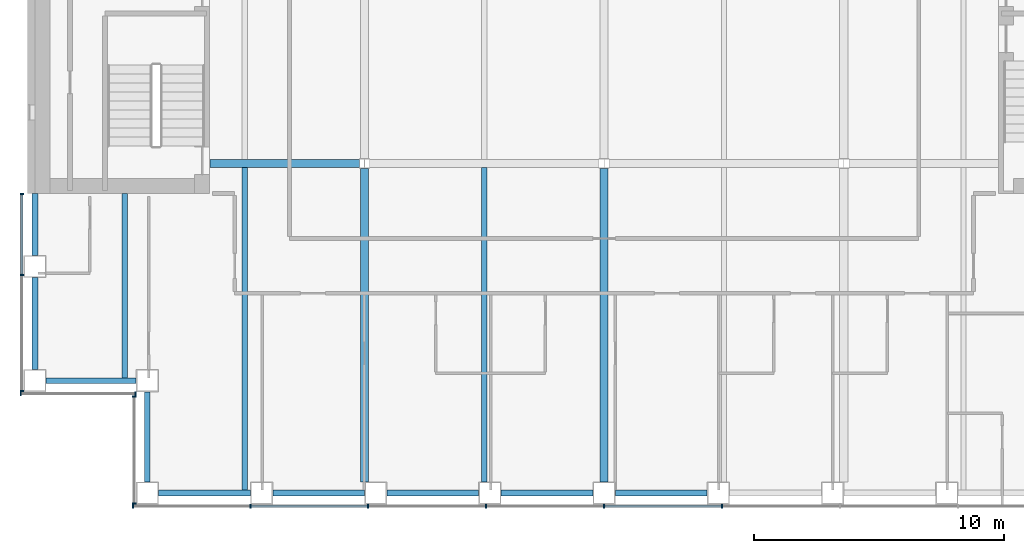
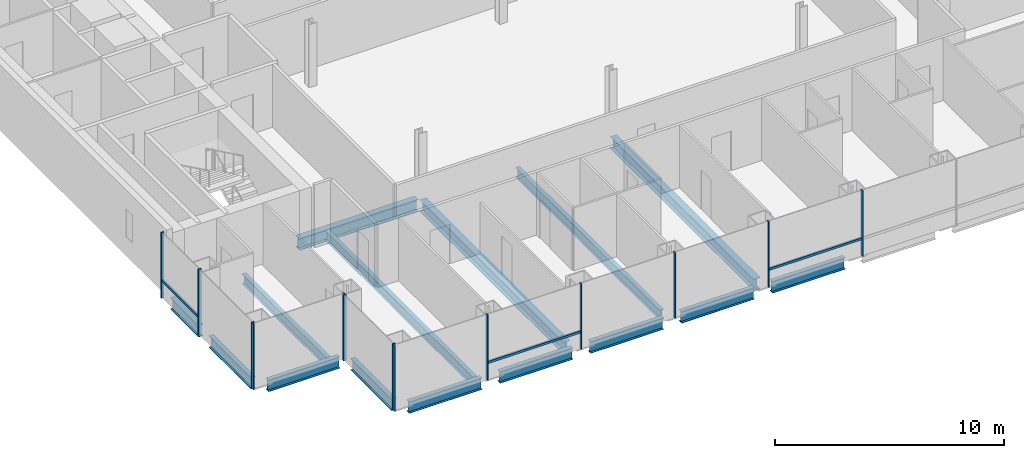
# One storey, part 2 of 15: 16 members, 15 beams, 4 elements without a shape of their own.
"""IFC4 building model written with IfcOpenShell, lengths in metres."""

from ifc_helpers import new_model, si_unit, direction, frame, origin, origin_2d, place, context, subcontext, project, spatial, rectangle, i_section, extrude, material, material_profile, profile_set, type_object, element, aggregate, save


model = new_model("IFC4")

# Units and contexts
model_context = context("Model", 3, precision=1e-05, world=origin(), true_north=direction((0.0, 1.0)))
body_context = subcontext(model_context, "Body", "Model", "MODEL_VIEW")
ifc_project = project(units=[si_unit("LENGTHUNIT", "METRE"), si_unit("AREAUNIT", "SQUARE_METRE"), si_unit("VOLUMEUNIT", "CUBIC_METRE"), si_unit("PLANEANGLEUNIT", "RADIAN"), si_unit("MASSUNIT", "GRAM", prefix="KILO")], contexts=[model_context])

# Site, building, storey
site_placement = place(None, origin())
site = spatial("IfcSite", under=ifc_project, at=site_placement, CompositionType="ELEMENT")
building_placement = place(site_placement, origin())
building = spatial("IfcBuilding", under=site, at=building_placement, Name="Cobrizo Arcos Hotel Tower", CompositionType="ELEMENT")
storey_placement = place(building_placement, frame((0.0, 0.0, 99.5)))
storey = spatial("IfcBuildingStorey", under=building, at=storey_placement, Name="L24", CompositionType="ELEMENT", Elevation=99.5)

# Curtain wall, members
ifc_material_1 = material(Name="Aluminium 6063-T6 anodised bronze", Category="aluminium")
curtain_wall_type = type_object("IfcCurtainWallType", Name="CW-A guest facade", PredefinedType="NOTDEFINED", material=ifc_material_1)
curtain_wall_1_placement = place(storey_placement, origin())
curtain_wall_1 = element("IfcCurtainWall", 1, at=curtain_wall_1_placement, inside=storey, type_object=curtain_wall_type, Name="CW-A L24 S face", PredefinedType="NOTDEFINED")
ifc_material_profile_1 = material_profile(ifc_material_1, rectangle(XDim=0.14990234375, YDim=0.06005859375, at=origin_2d()), Name="CW-A mullion 150x60")
ifc_profile_set_1 = profile_set([ifc_material_profile_1], Name="Aluminium 6063-T6 anodised bronze")
member_type_1 = type_object("IfcMemberType", Name="CW-A mullion 150x60", PredefinedType="MULLION", material=ifc_profile_set_1)
member_1_placement = place(storey_placement, frame((-18.8701171875, -23.324951171875, 0.0), z_axis=(0.0, 0.0, 1.0), x_axis=(0.0, -1.0, 0.0)))
member_1 = element("IfcMember", 2, at=member_1_placement, type_object=member_type_1, Name="CW-A mullion 1", PredefinedType="MULLION", context=body_context, shape_type="SweptSolid", body=[
    extrude(rectangle(XDim=0.14990234375, YDim=0.06005859375, at=origin_2d()), origin(), (0.0, 0.0, 1.0), 3.5),
])
member_2_placement = place(storey_placement, frame((-14.175048828125, -23.324951171875, 0.0), z_axis=(0.0, 0.0, 1.0), x_axis=(0.0, -1.0, 0.0)))
member_2 = element("IfcMember", 3, at=member_2_placement, type_object=member_type_1, Name="CW-A mullion 2", PredefinedType="MULLION", context=body_context, shape_type="SweptSolid", body=[
    extrude(rectangle(XDim=0.14990234375, YDim=0.06005859375, at=origin_2d()), origin(), (0.0, 0.0, 1.0), 3.5),
])
member_3_placement = place(storey_placement, frame((-9.449951171875, -23.324951171875, 0.0), z_axis=(0.0, 0.0, 1.0), x_axis=(0.0, -1.0, 0.0)))
member_3 = element("IfcMember", 4, at=member_3_placement, type_object=member_type_1, Name="CW-A mullion 3", PredefinedType="MULLION", context=body_context, shape_type="SweptSolid", body=[
    extrude(rectangle(XDim=0.14990234375, YDim=0.06005859375, at=origin_2d()), origin(), (0.0, 0.0, 1.0), 3.5),
])
member_4_placement = place(storey_placement, frame((-4.72509765625, -23.324951171875, 0.0), z_axis=(0.0, 0.0, 1.0), x_axis=(0.0, -1.0, 0.0)))
member_4 = element("IfcMember", 5, at=member_4_placement, type_object=member_type_1, Name="CW-A mullion 4", PredefinedType="MULLION", context=body_context, shape_type="SweptSolid", body=[
    extrude(rectangle(XDim=0.14990234375, YDim=0.06005859375, at=origin_2d()), origin(), (0.0, 0.0, 1.0), 3.5),
])
member_5_placement = place(storey_placement, frame((0.0, -23.324951171875, 0.0), z_axis=(0.0, 0.0, 1.0), x_axis=(0.0, -1.0, 0.0)))
member_5 = element("IfcMember", 6, at=member_5_placement, type_object=member_type_1, Name="CW-A mullion 5", PredefinedType="MULLION", context=body_context, shape_type="SweptSolid", body=[
    extrude(rectangle(XDim=0.14990234375, YDim=0.06005859375, at=origin_2d()), origin(), (0.0, 0.0, 1.0), 3.5),
])
member_6_placement = place(storey_placement, frame((4.72509765625, -23.324951171875, 0.0), z_axis=(0.0, 0.0, 1.0), x_axis=(0.0, -1.0, 0.0)))
member_6 = element("IfcMember", 7, at=member_6_placement, type_object=member_type_1, Name="CW-A mullion 6", PredefinedType="MULLION", context=body_context, shape_type="SweptSolid", body=[
    extrude(rectangle(XDim=0.14990234375, YDim=0.06005859375, at=origin_2d()), origin(), (0.0, 0.0, 1.0), 3.5),
])

curtain_wall_2_placement = place(storey_placement, origin())
curtain_wall_2 = element("IfcCurtainWall", 8, at=curtain_wall_2_placement, inside=storey, type_object=curtain_wall_type, Name="CW-A L24 W face", PredefinedType="NOTDEFINED")
member_7_placement = place(storey_placement, frame((-23.324951171875, -10.830078125, 0.0), z_axis=(0.0, 0.0, 1.0), x_axis=(-1.0, 0.0, 0.0)))
member_7 = element("IfcMember", 9, at=member_7_placement, type_object=member_type_1, Name="CW-A mullion 1", PredefinedType="MULLION", context=body_context, shape_type="SweptSolid", body=[
    extrude(rectangle(XDim=0.14990234375, YDim=0.06005859375, at=origin_2d()), origin(), (0.0, 0.0, 1.0), 3.5),
])
member_8_placement = place(storey_placement, frame((-23.324951171875, -14.0625, 0.0), z_axis=(0.0, 0.0, 1.0), x_axis=(-1.0, 0.0, 0.0)))
member_8 = element("IfcMember", 10, at=member_8_placement, type_object=member_type_1, Name="CW-A mullion 2", PredefinedType="MULLION", context=body_context, shape_type="SweptSolid", body=[
    extrude(rectangle(XDim=0.14990234375, YDim=0.06005859375, at=origin_2d()), origin(), (0.0, 0.0, 1.0), 3.5),
])
member_9_placement = place(storey_placement, frame((-23.324951171875, -18.719970703125, 0.0), z_axis=(0.0, 0.0, 1.0), x_axis=(-1.0, 0.0, 0.0)))
member_9 = element("IfcMember", 11, at=member_9_placement, type_object=member_type_1, Name="CW-A mullion 3", PredefinedType="MULLION", context=body_context, shape_type="SweptSolid", body=[
    extrude(rectangle(XDim=0.14990234375, YDim=0.06005859375, at=origin_2d()), origin(), (0.0, 0.0, 1.0), 3.5),
])

curtain_wall_3_placement = place(storey_placement, origin())
curtain_wall_3 = element("IfcCurtainWall", 12, at=curtain_wall_3_placement, inside=storey, type_object=curtain_wall_type, Name="CW-A L24 S face", PredefinedType="NOTDEFINED")
member_10_placement = place(storey_placement, frame((-23.3701171875, -18.824951171875, 0.0), z_axis=(0.0, 0.0, 1.0), x_axis=(0.0, -1.0, 0.0)))
member_10 = element("IfcMember", 13, at=member_10_placement, type_object=member_type_1, Name="CW-A mullion 1", PredefinedType="MULLION", context=body_context, shape_type="SweptSolid", body=[
    extrude(rectangle(XDim=0.14990234375, YDim=0.06005859375, at=origin_2d()), origin(), (0.0, 0.0, 1.0), 3.5),
])
member_11_placement = place(storey_placement, frame((-18.780029296875, -18.824951171875, 0.0), z_axis=(0.0, 0.0, 1.0), x_axis=(0.0, -1.0, 0.0)))
member_11 = element("IfcMember", 14, at=member_11_placement, type_object=member_type_1, Name="CW-A mullion 2", PredefinedType="MULLION", context=body_context, shape_type="SweptSolid", body=[
    extrude(rectangle(XDim=0.14990234375, YDim=0.06005859375, at=origin_2d()), origin(), (0.0, 0.0, 1.0), 3.5),
])
aggregate(curtain_wall_3, [member_10, member_11])

curtain_wall_4_placement = place(storey_placement, origin())
curtain_wall_4 = element("IfcCurtainWall", 15, at=curtain_wall_4_placement, inside=storey, type_object=curtain_wall_type, Name="CW-A L24 W face", PredefinedType="NOTDEFINED")
member_12_placement = place(storey_placement, frame((-18.824951171875, -18.929931640625, 0.0), z_axis=(0.0, 0.0, 1.0), x_axis=(-1.0, 0.0, 0.0)))
member_12 = element("IfcMember", 16, at=member_12_placement, type_object=member_type_1, Name="CW-A mullion 1", PredefinedType="MULLION", context=body_context, shape_type="SweptSolid", body=[
    extrude(rectangle(XDim=0.14990234375, YDim=0.06005859375, at=origin_2d()), origin(), (0.0, 0.0, 1.0), 3.5),
])
member_13_placement = place(storey_placement, frame((-18.824951171875, -23.219970703125, 0.0), z_axis=(0.0, 0.0, 1.0), x_axis=(-1.0, 0.0, 0.0)))
member_13 = element("IfcMember", 17, at=member_13_placement, type_object=member_type_1, Name="CW-A mullion 2", PredefinedType="MULLION", context=body_context, shape_type="SweptSolid", body=[
    extrude(rectangle(XDim=0.14990234375, YDim=0.06005859375, at=origin_2d()), origin(), (0.0, 0.0, 1.0), 3.5),
])
aggregate(curtain_wall_4, [member_12, member_13])

# Member
ifc_material_profile_2 = material_profile(ifc_material_1, rectangle(XDim=0.10009765625, YDim=0.1201171875, at=origin_2d()), Name="CW-A transom 120x100")
ifc_profile_set_2 = profile_set([ifc_material_profile_2], Name="Aluminium 6063-T6 anodised bronze")
member_type_2 = type_object("IfcMemberType", Name="CW-A transom 120x100", PredefinedType="USERDEFINED", material=ifc_profile_set_2)
member_14_placement = place(storey_placement, frame((-14.14501953125, -23.324951171875, 0.929931640625), z_axis=(1.0, 0.0, 0.0), x_axis=(0.0, 1.0, 0.0)))
member_14 = element("IfcMember", 18, at=member_14_placement, type_object=member_type_2, Name="CW-A transom 948", ObjectType="TRANSOM", PredefinedType="USERDEFINED", context=body_context, shape_type="SweptSolid", body=[
    extrude(rectangle(XDim=0.10009765625, YDim=0.1201171875, at=origin_2d()), origin(), (0.0, 0.0, 1.0), 4.6650390625),
])

member_15_placement = place(storey_placement, frame((0.030029296875, -23.324951171875, 0.929931640625), z_axis=(1.0, 0.0, 0.0), x_axis=(0.0, 1.0, 0.0)))
member_15 = element("IfcMember", 19, at=member_15_placement, type_object=member_type_2, Name="CW-A transom 951", ObjectType="TRANSOM", PredefinedType="USERDEFINED", context=body_context, shape_type="SweptSolid", body=[
    extrude(rectangle(XDim=0.10009765625, YDim=0.1201171875, at=origin_2d()), origin(), (0.0, 0.0, 1.0), 4.6650390625),
])

aggregate(curtain_wall_1, [member_1, member_2, member_3, member_4, member_5, member_6, member_14, member_15])

member_16_placement = place(storey_placement, frame((-23.324951171875, -10.860107421875, 0.929931640625), z_axis=(0.0, -1.0, 0.0), x_axis=(1.0, 0.0, 0.0)))
member_16 = element("IfcMember", 20, at=member_16_placement, type_object=member_type_2, Name="CW-A transom 975", ObjectType="TRANSOM", PredefinedType="USERDEFINED", context=body_context, shape_type="SweptSolid", body=[
    extrude(rectangle(XDim=0.10009765625, YDim=0.1201171875, at=origin_2d()), origin(), (0.0, 0.0, 1.0), 3.17236328125),
])

aggregate(curtain_wall_2, [member_7, member_8, member_9, member_16])

# Beams
ifc_material_2 = material(Name="Steel ASTM A992 Grade 50", Category="steel")
ifc_material_profile_3 = material_profile(ifc_material_2, i_section(OverallWidth=0.209228515625, OverallDepth=0.533447265625, WebThickness=0.01025390625, FlangeThickness=0.015625, at=origin_2d()), Name="W21X62")
ifc_profile_set_3 = profile_set([ifc_material_profile_3], Name="Steel ASTM A992 Grade 50")
beam_type_1 = type_object("IfcBeamType", Name="W21X62 joist", PredefinedType="JOIST", material=ifc_profile_set_3)
beam_1_placement = place(storey_placement, frame((-19.199951171875, -18.2099609375, -0.416748046875), z_axis=(0.0, 1.0, 0.0), x_axis=(-1.0, 0.0, 0.0)))
element("IfcBeam", 21, at=beam_1_placement, inside=storey, type_object=beam_type_1, Name="Floor joist J1, L24, no. 001", PredefinedType="JOIST", context=body_context, shape_type="SweptSolid", body=[
    extrude(i_section(OverallWidth=0.209228515625, OverallDepth=0.533447265625, WebThickness=0.01025390625, FlangeThickness=0.015625, at=origin_2d()), origin(), (0.0, 0.0, 1.0), 7.39990234375),
])
beam_2_placement = place(storey_placement, frame((-14.39990234375, -22.7099609375, -0.416748046875), z_axis=(0.0, 1.0, 0.0), x_axis=(-1.0, 0.0, 0.0)))
element("IfcBeam", 22, at=beam_2_placement, inside=storey, type_object=beam_type_1, Name="Floor joist J1, L24, no. 003", PredefinedType="JOIST", context=body_context, shape_type="SweptSolid", body=[
    extrude(i_section(OverallWidth=0.209228515625, OverallDepth=0.533447265625, WebThickness=0.01025390625, FlangeThickness=0.015625, at=origin_2d()), origin(), (0.0, 0.0, 1.0), 12.946044921875),
])
beam_3_placement = place(storey_placement, frame((-4.800048828125, -22.35009765625, -0.416748046875), z_axis=(0.0, 1.0, 0.0), x_axis=(-1.0, 0.0, 0.0)))
element("IfcBeam", 23, at=beam_3_placement, inside=storey, type_object=beam_type_1, Name="Floor joist J1, L24, no. 007", PredefinedType="JOIST", context=body_context, shape_type="SweptSolid", body=[
    extrude(i_section(OverallWidth=0.209228515625, OverallDepth=0.533447265625, WebThickness=0.01025390625, FlangeThickness=0.015625, at=origin_2d()), origin(), (0.0, 0.0, 1.0), 12.586181640625),
])
ifc_material_profile_4 = material_profile(ifc_material_2, i_section(OverallWidth=0.32763671875, OverallDepth=0.622314453125, WebThickness=0.015380859375, FlangeThickness=0.0244140625, at=origin_2d()), Name="W24X131")
ifc_profile_set_4 = profile_set([ifc_material_profile_4], Name="Steel ASTM A992 Grade 50")
beam_type_2 = type_object("IfcBeamType", Name="W24X131 girder", PredefinedType="BEAM", material=ifc_profile_set_4)
beam_4_placement = place(storey_placement, frame((-15.7900390625, -9.60009765625, -0.461181640625), z_axis=(1.0, 0.0, 0.0), x_axis=(0.0, 1.0, 0.0)))
element("IfcBeam", 24, at=beam_4_placement, inside=storey, type_object=beam_type_2, Name="Floor girder G1, L24, no. 001", PredefinedType="BEAM", context=body_context, shape_type="SweptSolid", body=[
    extrude(i_section(OverallWidth=0.32763671875, OverallDepth=0.622314453125, WebThickness=0.015380859375, FlangeThickness=0.0244140625, at=origin_2d()), origin(), (0.0, 0.0, 1.0), 5.99072265625),
])
for number, where, z_axis, x_axis, name in (
    (25, (-9.60009765625, -22.35009765625, -0.461181640625), (0.0, 1.0, 0.0), (-1.0, 0.0, 0.0), "Floor girder G1, L24, no. 013"),
    (26, (0.0, -22.35009765625, -0.461181640625), (0.0, 1.0, 0.0), (-1.0, 0.0, 0.0), "Floor girder G1, L24, no. 017"),
):
    element("IfcBeam", number, at=place(storey_placement, frame(where, z_axis=z_axis, x_axis=x_axis)), inside=storey, type_object=beam_type_2, Name=name, PredefinedType="BEAM", context=body_context, shape_type="SweptSolid", body=[
        extrude(i_section(OverallWidth=0.32763671875, OverallDepth=0.622314453125, WebThickness=0.015380859375, FlangeThickness=0.0244140625, at=origin_2d()), origin(), (0.0, 0.0, 1.0), 12.55078125),
    ])
ifc_material_profile_5 = material_profile(ifc_material_2, i_section(OverallWidth=0.23046875, OverallDepth=0.6171875, WebThickness=0.01318359375, FlangeThickness=0.022216796875, at=origin_2d()), Name="W24X94")
ifc_profile_set_5 = profile_set([ifc_material_profile_5], Name="Steel ASTM A992 Grade 50")
beam_type_3 = type_object("IfcBeamType", Name="W24X94 spandrel", PredefinedType="SPANDREL", material=ifc_profile_set_5)
beam_5_placement = place(storey_placement, frame((-17.85009765625, -22.800048828125, -0.45849609375), z_axis=(1.0, 0.0, 0.0), x_axis=(0.0, 1.0, 0.0)))
element("IfcBeam", 27, at=beam_5_placement, inside=storey, type_object=beam_type_3, Name="Spandrel beam W24X94, L24, no. 001", PredefinedType="SPANDREL", context=body_context, shape_type="SweptSolid", body=[
    extrude(i_section(OverallWidth=0.23046875, OverallDepth=0.6171875, WebThickness=0.01318359375, FlangeThickness=0.022216796875, at=origin_2d()), origin(), (0.0, 0.0, 1.0), 3.675048828125),
])
beam_6_placement = place(storey_placement, frame((-13.27490234375, -22.800048828125, -0.45849609375), z_axis=(1.0, 0.0, 0.0), x_axis=(0.0, 1.0, 0.0)))
element("IfcBeam", 28, at=beam_6_placement, inside=storey, type_object=beam_type_3, Name="Spandrel beam W24X94, L24, no. 002", PredefinedType="SPANDREL", context=body_context, shape_type="SweptSolid", body=[
    extrude(i_section(OverallWidth=0.23046875, OverallDepth=0.6171875, WebThickness=0.01318359375, FlangeThickness=0.022216796875, at=origin_2d()), origin(), (0.0, 0.0, 1.0), 3.6748046875),
])
for number, where, z_axis, x_axis, name in (
    (29, (-8.699951171875, -22.800048828125, -0.45849609375), (1.0, 0.0, 0.0), (0.0, 1.0, 0.0), "Spandrel beam W24X94, L24, no. 003"),
    (30, (-4.125, -22.800048828125, -0.45849609375), (1.0, 0.0, 0.0), (0.0, 1.0, 0.0), "Spandrel beam W24X94, L24, no. 004"),
    (31, (0.449951171875, -22.800048828125, -0.45849609375), (1.0, 0.0, 0.0), (0.0, 1.0, 0.0), "Spandrel beam W24X94, L24, no. 005"),
):
    element("IfcBeam", number, at=place(storey_placement, frame(where, z_axis=z_axis, x_axis=x_axis)), inside=storey, type_object=beam_type_3, Name=name, PredefinedType="SPANDREL", context=body_context, shape_type="SweptSolid", body=[
        extrude(i_section(OverallWidth=0.23046875, OverallDepth=0.6171875, WebThickness=0.01318359375, FlangeThickness=0.022216796875, at=origin_2d()), origin(), (0.0, 0.0, 1.0), 3.675048828125),
    ])
beam_7_placement = place(storey_placement, frame((-22.800048828125, -10.81005859375, -0.45849609375), z_axis=(0.0, -1.0, 0.0), x_axis=(1.0, 0.0, 0.0)))
element("IfcBeam", 32, at=beam_7_placement, inside=storey, type_object=beam_type_3, Name="Spandrel beam W24X94, L24, no. 029", PredefinedType="SPANDREL", context=body_context, shape_type="SweptSolid", body=[
    extrude(i_section(OverallWidth=0.23046875, OverallDepth=0.6171875, WebThickness=0.01318359375, FlangeThickness=0.022216796875, at=origin_2d()), origin(), (0.0, 0.0, 1.0), 2.46484375),
])
beam_8_placement = place(storey_placement, frame((-22.800048828125, -14.175048828125, -0.45849609375), z_axis=(0.0, -1.0, 0.0), x_axis=(1.0, 0.0, 0.0)))
element("IfcBeam", 33, at=beam_8_placement, inside=storey, type_object=beam_type_3, Name="Spandrel beam W24X94, L24, no. 030", PredefinedType="SPANDREL", context=body_context, shape_type="SweptSolid", body=[
    extrude(i_section(OverallWidth=0.23046875, OverallDepth=0.6171875, WebThickness=0.01318359375, FlangeThickness=0.022216796875, at=origin_2d()), origin(), (0.0, 0.0, 1.0), 3.675048828125),
])
for number, where, z_axis, x_axis, name in (
    (34, (-22.35009765625, -18.300048828125, -0.45849609375), (1.0, 0.0, 0.0), (0.0, 1.0, 0.0), "Spandrel beam W24X94, L24, no. 031"),
    (35, (-18.300048828125, -18.75, -0.45849609375), (0.0, -1.0, 0.0), (1.0, 0.0, 0.0), "Spandrel beam W24X94, L24, no. 032"),
):
    element("IfcBeam", number, at=place(storey_placement, frame(where, z_axis=z_axis, x_axis=x_axis)), inside=storey, type_object=beam_type_3, Name=name, PredefinedType="SPANDREL", context=body_context, shape_type="SweptSolid", body=[
        extrude(i_section(OverallWidth=0.23046875, OverallDepth=0.6171875, WebThickness=0.01318359375, FlangeThickness=0.022216796875, at=origin_2d()), origin(), (0.0, 0.0, 1.0), 3.60009765625),
    ])

save(model, "model.ifc")
